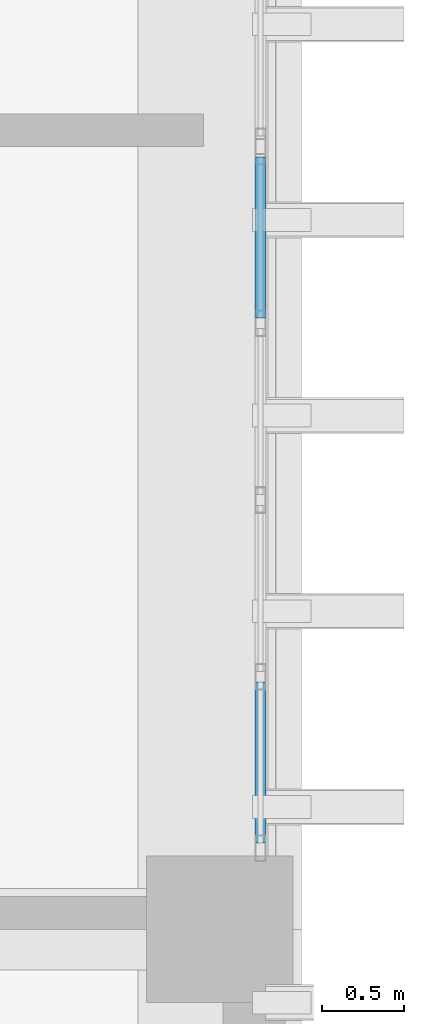
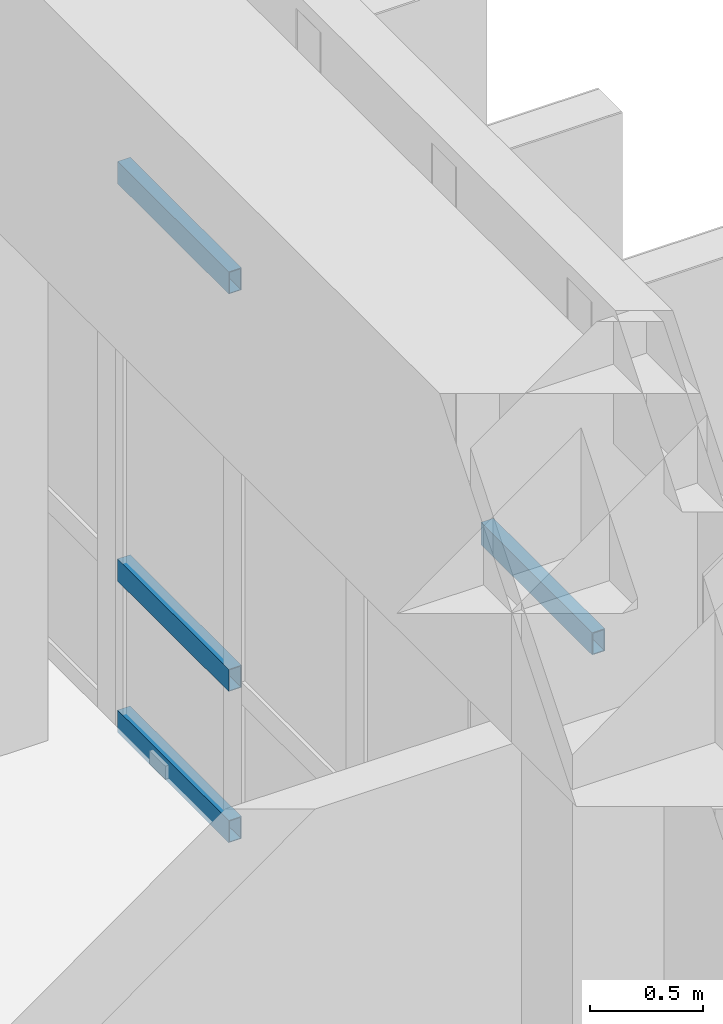
# One storey, part 63 of 101: 4 members, 1 element without a shape of its own.
"""IFC4 building model written with IfcOpenShell, lengths in metres."""

import ifcopenshell
import ifcopenshell.guid

model = None  # the IFC model being written
_history = None  # IfcOwnerHistory: only IFC2X3 demands one
_inside = {}  # id of a spatial element -> (the spatial element, [elements in it])
_under = {}  # id of a project, library or spatial element -> (it, [spatial elements below it])
_declared = {}  # id of a project -> (the project, [libraries it declares])
_typed = {}  # id of a type object -> (the type object, [elements of that type])
_made_of = {}  # id of a material, layer set ... -> (it, [elements and type objects made of it])


def new_model(schema):
    """Start an empty IFC model of exactly this schema.

    Asked for "IFC4X3", IfcOpenShell would pick the latest addendum, in which some entities
    have other attributes; the version numbers below select the first issue.
    IFC2X3 requires an IfcOwnerHistory on every rooted entity: one is made here for all.
    """
    global model, _history
    if schema == "IFC4X3":
        model = ifcopenshell.file(schema_version=(4, 3, 0, 0))
    else:
        model = ifcopenshell.file(schema=schema)
    _inside.clear()
    _under.clear()
    _declared.clear()
    _typed.clear()
    _made_of.clear()
    _history = None
    if model.schema == "IFC2X3":
        org = make("IfcOrganization", Name="unknown")
        user = make(
            "IfcPersonAndOrganization",
            ThePerson=make("IfcPerson", FamilyName="unknown"),
            TheOrganization=org,
        )
        app = make(
            "IfcApplication",
            ApplicationDeveloper=org,
            Version="unknown",
            ApplicationFullName="unknown",
            ApplicationIdentifier="unknown",
        )
        _history = make(
            "IfcOwnerHistory",
            OwningUser=user,
            OwningApplication=app,
            ChangeAction="ADDED",
            CreationDate=0,
        )
    return model


def make(cls, **values):
    """One entity of the class cls with the attributes given. An attribute that is None is left unset."""
    return model.create_entity(
        cls, **{name: value for name, value in values.items() if value is not None}
    )


def rooted(cls, **values):
    """An entity with a GlobalId (a new one), such as an element, a storey or a relation."""
    return make(cls, GlobalId=ifcopenshell.guid.new(), OwnerHistory=_history, **values)


def si_unit(unit_type, name, prefix=None):
    """IfcSIUnit, for example si_unit("LENGTHUNIT", "METRE", prefix="MILLI")."""
    return make("IfcSIUnit", UnitType=unit_type, Prefix=prefix, Name=name)


def assignment(units):
    """IfcUnitAssignment: the units of a project."""
    return None if units is None else make("IfcUnitAssignment", Units=units)


def point(xyz):
    """IfcCartesianPoint."""
    return None if xyz is None else make("IfcCartesianPoint", Coordinates=xyz)


def direction(xyz):
    """IfcDirection."""
    return None if xyz is None else make("IfcDirection", DirectionRatios=xyz)


def frame(location, z_axis=None, x_axis=None):
    """IfcAxis2Placement3D, a coordinate frame: its origin and axes. An axis left out is left unset."""
    return make(
        "IfcAxis2Placement3D",
        Location=point(location),
        Axis=direction(z_axis),
        RefDirection=direction(x_axis),
    )


def frame_2d(location, x_axis=None):
    """IfcAxis2Placement2D, a coordinate frame in the plane: its origin and x axis."""
    return make(
        "IfcAxis2Placement2D", Location=point(location), RefDirection=direction(x_axis)
    )


def origin():
    """The frame at (0, 0, 0) with its axes left unset."""
    return frame((0.0, 0.0, 0.0))


def origin_2d():
    """The frame at (0, 0) in the plane with its x axis left unset."""
    return frame_2d((0.0, 0.0))


def place(relative_to, where):
    """IfcLocalPlacement: puts the frame where relative to a parent placement (None: the world)."""
    return make(
        "IfcLocalPlacement", PlacementRelTo=relative_to, RelativePlacement=where
    )


def context(
    kind, dimensions, precision=None, world=None, true_north=None, identifier=None
):
    """IfcGeometricRepresentationContext, for example the 3D "Model" context."""
    return make(
        "IfcGeometricRepresentationContext",
        ContextIdentifier=identifier,
        ContextType=kind,
        CoordinateSpaceDimension=dimensions,
        Precision=precision,
        WorldCoordinateSystem=world,
        TrueNorth=true_north,
    )


def subcontext(parent, identifier, kind, view, scale=None):
    """IfcGeometricRepresentationSubContext, for example "Body" below "Model"."""
    return make(
        "IfcGeometricRepresentationSubContext",
        ContextIdentifier=identifier,
        ContextType=kind,
        ParentContext=parent,
        TargetScale=scale,
        TargetView=view,
    )


def project(units=None, contexts=None):
    """IfcProject with its units and contexts."""
    return rooted(
        "IfcProject",
        Name="project",
        RepresentationContexts=contexts,
        UnitsInContext=assignment(units),
    )


def spatial(cls, under=None, at=None, **own):
    """A site, building, storey or space (cls), placed at a placement, below another one or the project."""
    s = rooted(cls, ObjectPlacement=at, **own)
    if under is not None:
        _under.setdefault(under.id(), (under, []))[1].append(s)
    return s


def profile(cls, at=None, kind="AREA", **sizes):
    """A parametric profile (cls). Its sizes go by their IFC names, for example OverallWidth=200.0."""
    return make(cls, ProfileType=kind, Position=at, **sizes)


def hollow_rectangle(**sizes):
    """IfcRectangleHollowProfileDef."""
    return profile("IfcRectangleHollowProfileDef", **sizes)


def extrude(swept, where, along, depth):
    """IfcExtrudedAreaSolid: the profile swept, set in the frame where, extruded along a direction by depth."""
    return make(
        "IfcExtrudedAreaSolid",
        SweptArea=swept,
        Position=where,
        ExtrudedDirection=direction(along),
        Depth=depth,
    )


def shape(context_of_items, identifier, shape_type, items):
    """IfcShapeRepresentation: the items that make up one representation, for example the "Body"."""
    return make(
        "IfcShapeRepresentation",
        ContextOfItems=context_of_items,
        RepresentationIdentifier=identifier,
        RepresentationType=shape_type,
        Items=items,
    )


def material(Name=None, Category=None):
    """IfcMaterial."""
    return make("IfcMaterial", Name=Name, Category=Category)


def layer(
    of_material, thickness, ventilated=None, Name=None, Category=None, Priority=None
):
    """IfcMaterialLayer: one layer of a wall or slab, of a material (None: an air gap)."""
    return make(
        "IfcMaterialLayer",
        Material=of_material,
        LayerThickness=thickness,
        IsVentilated=ventilated,
        Name=Name,
        Category=Category,
        Priority=Priority,
    )


def layer_set(layers, Name=None):
    """IfcMaterialLayerSet."""
    return make("IfcMaterialLayerSet", MaterialLayers=layers, LayerSetName=Name)


def material_profile(
    of_material, cross_section, Name=None, Category=None, Priority=None
):
    """IfcMaterialProfile: a cross section and its material."""
    return make(
        "IfcMaterialProfile",
        Name=Name,
        Material=of_material,
        Profile=cross_section,
        Priority=Priority,
        Category=Category,
    )


def profile_set(profiles, Name=None, composite=None):
    """IfcMaterialProfileSet."""
    return make(
        "IfcMaterialProfileSet",
        Name=Name,
        MaterialProfiles=profiles,
        CompositeProfile=composite,
    )


def made_of(thing, what):
    """Note that an element or type object is made of a material, layer set ...; save() writes the relation."""
    if what is not None:
        _made_of.setdefault(what.id(), (what, []))[1].append(thing)
    return thing


def type_object(cls, material=None, **own):
    """A type object (cls), such as IfcWallType, which elements share."""
    return made_of(rooted(cls, **own), material)


def element(
    cls,
    number,
    at=None,
    inside=None,
    cuts=None,
    type_object=None,
    material=None,
    context=None,
    identifier="Body",
    shape_type=None,
    held_by="IfcProductDefinitionShape",
    body=None,
    shapes=None,
    **own,
):
    """One element of the class cls, such as IfcWall. Its Tag is "e" and its number.

    at: its placement. inside: the storey or other place that contains it. cuts: it is an
    opening in that element (IfcRelVoidsElement). A single representation is given by context,
    identifier, shape_type and body (its items); several are given by shapes. held_by: the class
    of the entity that holds the representations. save() writes the other relations.
    """
    e = rooted(cls, Tag="e%d" % number, ObjectPlacement=at, **own)
    if body is not None:
        shapes = [shape(context, identifier, shape_type, body)]
    if shapes is not None:
        e.Representation = make(held_by, Representations=shapes)
    if inside is not None:
        _inside.setdefault(inside.id(), (inside, []))[1].append(e)
    if cuts is not None:
        rooted(
            "IfcRelVoidsElement", RelatingBuildingElement=cuts, RelatedOpeningElement=e
        )
    if type_object is not None:
        _typed.setdefault(type_object.id(), (type_object, []))[1].append(e)
    return made_of(e, material)


def aggregate(whole, parts):
    """IfcRelAggregates: a whole, such as a stair, and the parts it consists of."""
    return rooted("IfcRelAggregates", RelatingObject=whole, RelatedObjects=parts)


def save(model, path):
    """Write the relations noted so far, then the file.

    IfcRelAggregates (storeys below a building ...), IfcRelContainedInSpatialStructure (elements
    in a storey), IfcRelDefinesByType, IfcRelAssociatesMaterial and IfcRelDeclares: one each for
    every whole, place, type object, material and project.
    """
    for whole, parts in _under.values():
        aggregate(whole, parts)
    for where, things in _inside.values():
        rooted(
            "IfcRelContainedInSpatialStructure",
            RelatedElements=things,
            RelatingStructure=where,
        )
    for kind, things in _typed.values():
        rooted("IfcRelDefinesByType", RelatedObjects=things, RelatingType=kind)
    for what, things in _made_of.values():
        rooted("IfcRelAssociatesMaterial", RelatedObjects=things, RelatingMaterial=what)
    for by, libraries in _declared.values():
        rooted("IfcRelDeclares", RelatingContext=by, RelatedDefinitions=libraries)
    model.write(path)


model = new_model("IFC4")

# Units and contexts
model_context = context("Model", 3, precision=1e-05, world=origin(), true_north=direction((0.0, 1.0)))
body_context = subcontext(model_context, "Body", "Model", "MODEL_VIEW")
ifc_project = project(units=[si_unit("LENGTHUNIT", "METRE"), si_unit("AREAUNIT", "SQUARE_METRE"), si_unit("VOLUMEUNIT", "CUBIC_METRE"), si_unit("PLANEANGLEUNIT", "RADIAN"), si_unit("MASSUNIT", "GRAM", prefix="KILO")], contexts=[model_context])

# Site, building, storey
site_placement = place(None, origin())
site = spatial("IfcSite", under=ifc_project, at=site_placement, CompositionType="ELEMENT")
building_placement = place(site_placement, origin())
building = spatial("IfcBuilding", under=site, at=building_placement, Name="Nakhvara Creek Congress Hotel", CompositionType="ELEMENT")
storey_placement = place(building_placement, frame((0.0, 0.0, 16.199951171875)))
storey = spatial("IfcBuildingStorey", under=building, at=storey_placement, Name="L03", CompositionType="ELEMENT", Elevation=16.199951171875)

# Curtain wall, members
ifc_material_1 = material(Name="Bronze-anodised aluminium AW-6063-T6 and double-silver low-E glass", Category="aluminium")
ifc_layer = layer(ifc_material_1, 0.199951171875)
ifc_layer_set = layer_set([ifc_layer], Name="Bronze-anodised aluminium AW-6063-T6 and double-silver low-E glass")
curtain_wall_type = type_object("IfcCurtainWallType", Name="CW-HTL-UNIT", PredefinedType="USERDEFINED", material=ifc_layer_set)
curtain_wall_placement = place(storey_placement, origin())
curtain_wall = element("IfcCurtainWall", 1, at=curtain_wall_placement, inside=storey, type_object=curtain_wall_type, Name="Curtain Wall CW169", ObjectType="UNITISED", PredefinedType="USERDEFINED")
ifc_material_2 = material(Name="Bronze-anodised aluminium AW-6063-T6", Category="aluminium")
ifc_material_profile = material_profile(ifc_material_2, hollow_rectangle(XDim=0.06494140625, YDim=0.1201171875, WallThickness=0.00390625, at=origin_2d()), Name="ALU-TRAN 65x120x4", Category="LoadBearing")
ifc_profile_set = profile_set([ifc_material_profile], Name="Bronze-anodised aluminium AW-6063-T6")
member_type = type_object("IfcMemberType", Name="CW-TRAN-120", PredefinedType="USERDEFINED", material=ifc_profile_set)
member_1_placement = place(storey_placement, frame((179.60009765625, 119.93505859375, 0.032470703125), z_axis=(0.0, -1.0, 0.0), x_axis=(1.0, 0.0, 0.0)))
member_1 = element("IfcMember", 2, at=member_1_placement, type_object=member_type, Name="CW169 transom 1.1", ObjectType="TRANSOM", PredefinedType="USERDEFINED", context=body_context, shape_type="SweptSolid", body=[
    extrude(hollow_rectangle(XDim=0.06494140625, YDim=0.1201171875, WallThickness=0.00390625, at=origin_2d()), origin(), (0.0, 0.0, 1.0), 0.986328125),
])
member_2_placement = place(storey_placement, frame((179.60009765625, 119.93505859375, 0.85009765625), z_axis=(0.0, -1.0, 0.0), x_axis=(1.0, 0.0, 0.0)))
member_2 = element("IfcMember", 3, at=member_2_placement, type_object=member_type, Name="CW169 transom 1.2", ObjectType="TRANSOM", PredefinedType="USERDEFINED", context=body_context, shape_type="SweptSolid", body=[
    extrude(hollow_rectangle(XDim=0.06494140625, YDim=0.1201171875, WallThickness=0.00390625, at=origin_2d()), origin(), (0.0, 0.0, 1.0), 0.986328125),
])
member_3_placement = place(storey_placement, frame((179.60009765625, 119.93505859375, 2.99951171875), z_axis=(0.0, -1.0, 0.0), x_axis=(1.0, 0.0, 0.0)))
member_3 = element("IfcMember", 4, at=member_3_placement, type_object=member_type, Name="CW169 transom 1.3", ObjectType="TRANSOM", PredefinedType="USERDEFINED", context=body_context, shape_type="SweptSolid", body=[
    extrude(hollow_rectangle(XDim=0.06494140625, YDim=0.1201171875, WallThickness=0.00390625, at=origin_2d()), origin(), (0.0, 0.0, 1.0), 0.986328125),
])
member_4_placement = place(storey_placement, frame((179.60009765625, 116.71630859375, 2.99951171875), z_axis=(0.0, -1.0, 0.0), x_axis=(1.0, 0.0, 0.0)))
member_4 = element("IfcMember", 5, at=member_4_placement, type_object=member_type, Name="CW169 transom 4.3", ObjectType="TRANSOM", PredefinedType="USERDEFINED", context=body_context, shape_type="SweptSolid", body=[
    extrude(hollow_rectangle(XDim=0.06494140625, YDim=0.1201171875, WallThickness=0.00390625, at=origin_2d()), origin(), (0.0, 0.0, 1.0), 0.986328125),
])
aggregate(curtain_wall, [member_1, member_2, member_3, member_4])

save(model, "model.ifc")
